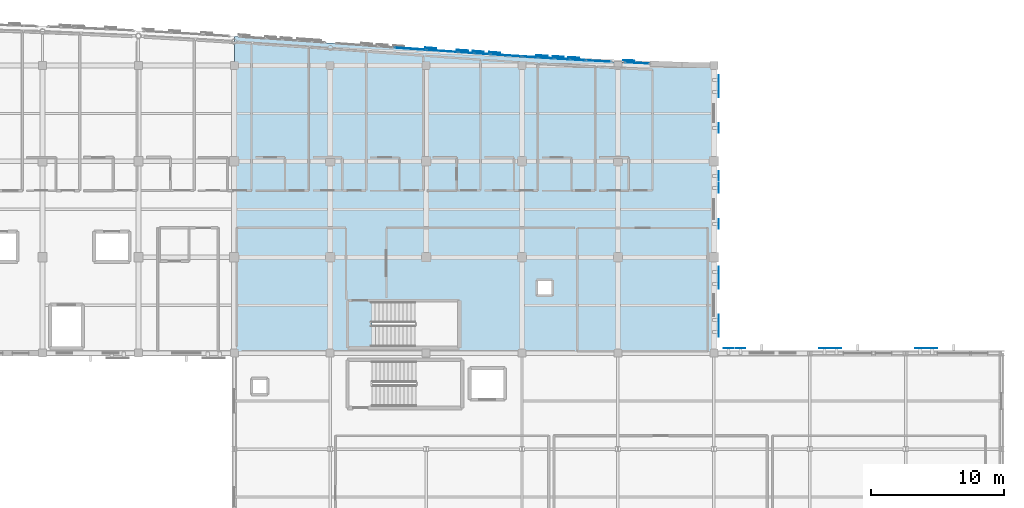
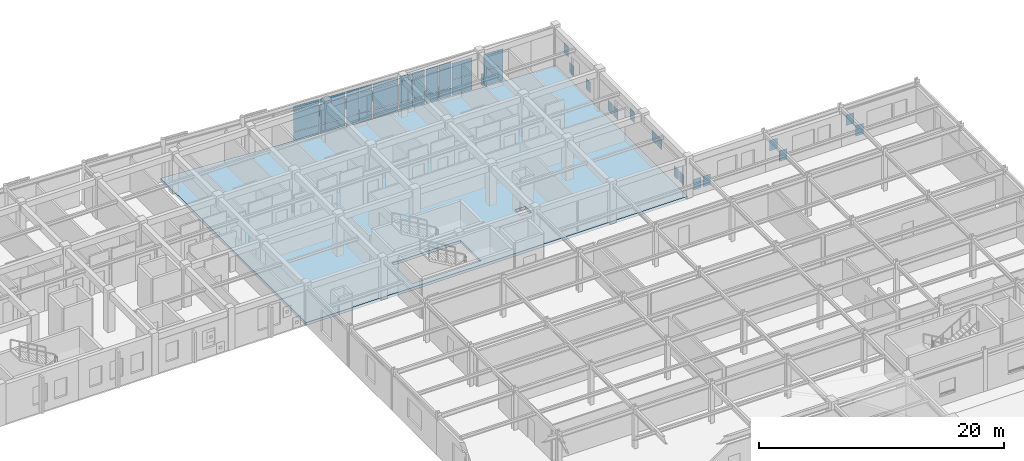
# One storey, part 77 of 113: 55 plates, 1 slab, 8 elements without a shape of their own.
"""IFC4 building model written with IfcOpenShell, lengths in metres."""

from ifc_helpers import new_model, si_unit, direction, frame, origin, origin_2d, place, context, subcontext, project, spatial, polyline, rectangle, outline, extrude, material, layer, layer_set, type_object, element, aggregate, save


model = new_model("IFC4")

# Units and contexts
model_context = context("Model", 3, precision=1e-05, world=origin(), true_north=direction((0.0, 1.0)))
body_context = subcontext(model_context, "Body", "Model", "MODEL_VIEW")
ifc_project = project(units=[si_unit("LENGTHUNIT", "METRE"), si_unit("AREAUNIT", "SQUARE_METRE"), si_unit("VOLUMEUNIT", "CUBIC_METRE"), si_unit("PLANEANGLEUNIT", "RADIAN"), si_unit("MASSUNIT", "GRAM", prefix="KILO")], contexts=[model_context])

# Site, building, storey
site_placement = place(None, origin())
site = spatial("IfcSite", under=ifc_project, at=site_placement, CompositionType="ELEMENT")
building_placement = place(site_placement, origin())
building = spatial("IfcBuilding", under=site, at=building_placement, Name="Carrowvane Square Congress Hotel", CompositionType="ELEMENT")
storey_placement = place(building_placement, frame((0.0, 0.0, 15.0)))
storey = spatial("IfcBuildingStorey", under=building, at=storey_placement, Name="L03", CompositionType="ELEMENT", Elevation=15.0)

# Curtain wall, plates
ifc_material_1 = material(Name="Anodised aluminium", Category="aluminium")
ifc_layer_1 = layer(ifc_material_1, 0.197998046875)
ifc_layer_set_1 = layer_set([ifc_layer_1], Name="Anodised aluminium")
curtain_wall_type_1 = type_object("IfcCurtainWallType", Name="CW-SYS-4", PredefinedType="NOTDEFINED", material=ifc_layer_set_1)
curtain_wall_1_placement = place(storey_placement, origin())
curtain_wall_1 = element("IfcCurtainWall", 1, at=curtain_wall_1_placement, inside=storey, type_object=curtain_wall_type_1, Name="L03 unitised curtain wall 235", PredefinedType="NOTDEFINED")
ifc_material_2 = material(Name="Double-glazed low-E glass", Category="glass")
ifc_layer_2 = layer(ifc_material_2, 0.028076171875)
ifc_layer_set_2 = layer_set([ifc_layer_2], Name="Double-glazed low-E glass")
plate_type_1 = type_object("IfcPlateType", Name="CW-PAN-1", PredefinedType="CURTAIN_PANEL", material=ifc_layer_set_2)
plate_1_placement = place(storey_placement, frame((142.39990234375, 114.486328125, 0.070068359375), z_axis=(0.0, 0.0, 1.0), x_axis=(0.997505697746, -0.070585996942, 0.0)))
plate_1 = element("IfcPlate", 2, at=plate_1_placement, type_object=plate_type_1, Name="CW-4 panel 1.1", PredefinedType="CURTAIN_PANEL", context=body_context, shape_type="SweptSolid", body=[
    extrude(rectangle(XDim=2.26611328125, YDim=0.028076171875, at=origin_2d()), origin(), (0.0, 0.0, 1.0), 0.794921875),
])
plate_2_placement = place(storey_placement, frame((142.39990234375, 114.486328125, 0.93505859375), z_axis=(0.0, 0.0, 1.0), x_axis=(0.997505697746, -0.070585996942, 0.0)))
plate_2 = element("IfcPlate", 3, at=plate_2_placement, type_object=plate_type_1, Name="CW-4 panel 1.2", PredefinedType="CURTAIN_PANEL", context=body_context, shape_type="SweptSolid", body=[
    extrude(rectangle(XDim=2.26611328125, YDim=0.028076171875, at=origin_2d()), origin(), (0.0, 0.0, 1.0), 1.99560546875),
])
plate_3_placement = place(storey_placement, frame((142.39990234375, 114.486328125, 3.00048828125), z_axis=(0.0, 0.0, 1.0), x_axis=(0.997505697746, -0.070585996942, 0.0)))
plate_3 = element("IfcPlate", 4, at=plate_3_placement, type_object=plate_type_1, Name="CW-4 panel 1.3", PredefinedType="CURTAIN_PANEL", context=body_context, shape_type="SweptSolid", body=[
    extrude(rectangle(XDim=2.26611328125, YDim=0.028076171875, at=origin_2d()), origin(), (0.0, 0.0, 1.0), 0.445068359375),
])
aggregate(curtain_wall_1, [plate_1, plate_2, plate_3])

ifc_material_3 = material(Name="Anodised aluminium", Category="aluminium")
ifc_layer_3 = layer(ifc_material_3, 0.162109375)
ifc_layer_set_3 = layer_set([ifc_layer_3], Name="Anodised aluminium")
curtain_wall_type_2 = type_object("IfcCurtainWallType", Name="CW-SYS-1", PredefinedType="NOTDEFINED", material=ifc_layer_set_3)
curtain_wall_2_placement = place(storey_placement, origin())
curtain_wall_2 = element("IfcCurtainWall", 5, at=curtain_wall_2_placement, inside=storey, type_object=curtain_wall_type_2, Name="L03 unitised curtain wall 240", PredefinedType="NOTDEFINED")
plate_4_placement = place(storey_placement, frame((154.16845703125, 113.7294921875, 0.06005859375), z_axis=(0.0, 0.0, 1.0), x_axis=(0.998566981227, -0.053516203185, 0.0)))
plate_4 = element("IfcPlate", 6, at=plate_4_placement, type_object=plate_type_1, Name="CW-1 panel 1.1", PredefinedType="CURTAIN_PANEL", context=body_context, shape_type="SweptSolid", body=[
    extrude(rectangle(XDim=1.819580078125, YDim=0.028076171875, at=origin_2d()), origin(), (0.0, 0.0, 1.0), 1.572509765625),
])
plate_5_placement = place(storey_placement, frame((154.16845703125, 113.7294921875, 1.6923828125), z_axis=(0.0, 0.0, 1.0), x_axis=(0.998566981227, -0.053516203185, 0.0)))
plate_5 = element("IfcPlate", 7, at=plate_5_placement, type_object=plate_type_1, Name="CW-1 panel 1.2", PredefinedType="CURTAIN_PANEL", context=body_context, shape_type="SweptSolid", body=[
    extrude(rectangle(XDim=1.819580078125, YDim=0.028076171875, at=origin_2d()), origin(), (0.0, 0.0, 1.0), 1.572509765625),
])
aggregate(curtain_wall_2, [plate_4, plate_5])

ifc_material_4 = material(Name="Anodised aluminium", Category="aluminium")
ifc_layer_4 = layer(ifc_material_4, 0.2099609375)
ifc_layer_set_4 = layer_set([ifc_layer_4], Name="Anodised aluminium")
curtain_wall_type_3 = type_object("IfcCurtainWallType", Name="CW-SYS-5", PredefinedType="NOTDEFINED", material=ifc_layer_set_4)
curtain_wall_3_placement = place(storey_placement, origin())
curtain_wall_3 = element("IfcCurtainWall", 8, at=curtain_wall_3_placement, inside=storey, type_object=curtain_wall_type_3, Name="L03 unitised curtain wall 236", PredefinedType="NOTDEFINED")
ifc_material_5 = material(Name="Double-glazed low-E glass", Category="glass")
ifc_layer_5 = layer(ifc_material_5, 0.031982421875)
ifc_layer_set_5 = layer_set([ifc_layer_5], Name="Double-glazed low-E glass")
plate_type_2 = type_object("IfcPlateType", Name="CW-PAN-2", PredefinedType="CURTAIN_PANEL", material=ifc_layer_set_5)
plate_6_placement = place(storey_placement, frame((144.21484375, 114.35888671875, 0.06005859375), z_axis=(0.0, 0.0, 1.0), x_axis=(0.997617619706, -0.068986120725, 0.0)))
plate_6 = element("IfcPlate", 9, at=plate_6_placement, type_object=plate_type_2, Name="CW-5 panel 1.1", PredefinedType="CURTAIN_PANEL", context=body_context, shape_type="SweptSolid", body=[
    extrude(rectangle(XDim=1.11279296875, YDim=0.031982421875, at=origin_2d()), origin(), (0.0, 0.0, 1.0), 0.81005859375),
])
plate_7_placement = place(storey_placement, frame((144.21484375, 114.35888671875, 0.93017578125), z_axis=(0.0, 0.0, 1.0), x_axis=(0.997617619706, -0.068986120725, 0.0)))
plate_7 = element("IfcPlate", 10, at=plate_7_placement, type_object=plate_type_2, Name="CW-5 panel 1.2", PredefinedType="CURTAIN_PANEL", context=body_context, shape_type="SweptSolid", body=[
    extrude(rectangle(XDim=1.11279296875, YDim=0.031982421875, at=origin_2d()), origin(), (0.0, 0.0, 1.0), 2.005615234375),
])
plate_8_placement = place(storey_placement, frame((144.21484375, 114.35888671875, 2.99560546875), z_axis=(0.0, 0.0, 1.0), x_axis=(0.997617619706, -0.068986120725, 0.0)))
plate_8 = element("IfcPlate", 11, at=plate_8_placement, type_object=plate_type_2, Name="CW-5 panel 1.3", PredefinedType="CURTAIN_PANEL", context=body_context, shape_type="SweptSolid", body=[
    extrude(rectangle(XDim=1.11279296875, YDim=0.031982421875, at=origin_2d()), origin(), (0.0, 0.0, 1.0), 0.4599609375),
])
plate_9_placement = place(storey_placement, frame((145.385009765625, 114.278076171875, 0.06005859375), z_axis=(0.0, 0.0, 1.0), x_axis=(0.997617619706, -0.068986120725, 0.0)))
plate_9 = element("IfcPlate", 12, at=plate_9_placement, type_object=plate_type_2, Name="CW-5 panel 2.1", PredefinedType="CURTAIN_PANEL", context=body_context, shape_type="SweptSolid", body=[
    extrude(rectangle(XDim=1.11279296875, YDim=0.031982421875, at=origin_2d()), origin(), (0.0, 0.0, 1.0), 0.81005859375),
])
plate_10_placement = place(storey_placement, frame((145.385009765625, 114.278076171875, 0.93017578125), z_axis=(0.0, 0.0, 1.0), x_axis=(0.997617619706, -0.068986120725, 0.0)))
plate_10 = element("IfcPlate", 13, at=plate_10_placement, type_object=plate_type_2, Name="CW-5 panel 2.2", PredefinedType="CURTAIN_PANEL", context=body_context, shape_type="SweptSolid", body=[
    extrude(rectangle(XDim=1.11279296875, YDim=0.031982421875, at=origin_2d()), origin(), (0.0, 0.0, 1.0), 2.005615234375),
])
plate_11_placement = place(storey_placement, frame((145.385009765625, 114.278076171875, 2.99560546875), z_axis=(0.0, 0.0, 1.0), x_axis=(0.997617619706, -0.068986120725, 0.0)))
plate_11 = element("IfcPlate", 14, at=plate_11_placement, type_object=plate_type_2, Name="CW-5 panel 2.3", PredefinedType="CURTAIN_PANEL", context=body_context, shape_type="SweptSolid", body=[
    extrude(rectangle(XDim=1.11279296875, YDim=0.031982421875, at=origin_2d()), origin(), (0.0, 0.0, 1.0), 0.4599609375),
])
aggregate(curtain_wall_3, [plate_6, plate_7, plate_8, plate_9, plate_10, plate_11])

ifc_material_6 = material(Name="Anodised aluminium", Category="aluminium")
ifc_layer_6 = layer(ifc_material_6, 0.174072265625)
ifc_layer_set_6 = layer_set([ifc_layer_6], Name="Anodised aluminium")
curtain_wall_type_4 = type_object("IfcCurtainWallType", Name="CW-SYS-2", PredefinedType="NOTDEFINED", material=ifc_layer_set_6)
curtain_wall_4_placement = place(storey_placement, origin())
curtain_wall_4 = element("IfcCurtainWall", 15, at=curtain_wall_4_placement, inside=storey, type_object=curtain_wall_type_4, Name="L03 unitised curtain wall 241", PredefinedType="NOTDEFINED")
plate_12_placement = place(storey_placement, frame((157.044189453125, 113.58544921875, 0.06982421875), z_axis=(0.0, 0.0, 1.0), x_axis=(0.998917263935, -0.046522035775, 0.0)))
plate_12 = element("IfcPlate", 16, at=plate_12_placement, type_object=plate_type_2, Name="CW-2 panel 1.1", PredefinedType="CURTAIN_PANEL", context=body_context, shape_type="SweptSolid", body=[
    extrude(rectangle(XDim=1.7734375, YDim=0.031982421875, at=origin_2d()), origin(), (0.0, 0.0, 1.0), 1.5576171875),
])
plate_13_placement = place(storey_placement, frame((157.044189453125, 113.58544921875, 1.697509765625), z_axis=(0.0, 0.0, 1.0), x_axis=(0.998917263935, -0.046522035775, 0.0)))
plate_13 = element("IfcPlate", 17, at=plate_13_placement, type_object=plate_type_2, Name="CW-2 panel 1.2", PredefinedType="CURTAIN_PANEL", context=body_context, shape_type="SweptSolid", body=[
    extrude(rectangle(XDim=1.7734375, YDim=0.031982421875, at=origin_2d()), origin(), (0.0, 0.0, 1.0), 1.5576171875),
])
aggregate(curtain_wall_4, [plate_12, plate_13])

ifc_material_7 = material(Name="Anodised aluminium", Category="aluminium")
ifc_layer_7 = layer(ifc_material_7, 0.221923828125)
ifc_layer_set_7 = layer_set([ifc_layer_7], Name="Anodised aluminium")
curtain_wall_type_5 = type_object("IfcCurtainWallType", Name="CW-SYS-6", PredefinedType="NOTDEFINED", material=ifc_layer_set_7)
curtain_wall_5_placement = place(storey_placement, origin())
curtain_wall_5 = element("IfcCurtainWall", 18, at=curtain_wall_5_placement, inside=storey, type_object=curtain_wall_type_5, Name="L03 unitised curtain wall 237", PredefinedType="NOTDEFINED")
ifc_material_8 = material(Name="Double-glazed low-E glass", Category="glass")
ifc_layer_8 = layer(ifc_material_8, 0.035888671875)
ifc_layer_set_8 = layer_set([ifc_layer_8], Name="Double-glazed low-E glass")
plate_type_3 = type_object("IfcPlateType", Name="CW-PAN-3", PredefinedType="CURTAIN_PANEL", material=ifc_layer_set_8)
plate_14_placement = place(storey_placement, frame((147.199951171875, 114.155517578125, 0.070068359375), z_axis=(0.0, 0.0, 1.0), x_axis=(0.997781495544, -0.06657392244, 0.0)))
plate_14 = element("IfcPlate", 19, at=plate_14_placement, type_object=plate_type_3, Name="CW-6 panel 1.1", PredefinedType="CURTAIN_PANEL", context=body_context, shape_type="SweptSolid", body=[
    extrude(rectangle(XDim=2.265380859375, YDim=0.035888671875, at=origin_2d()), origin(), (0.0, 0.0, 1.0), 0.794921875),
])
plate_15_placement = place(storey_placement, frame((147.199951171875, 114.155517578125, 0.93505859375), z_axis=(0.0, 0.0, 1.0), x_axis=(0.997781495544, -0.06657392244, 0.0)))
plate_15 = element("IfcPlate", 20, at=plate_15_placement, type_object=plate_type_3, Name="CW-6 panel 1.2", PredefinedType="CURTAIN_PANEL", context=body_context, shape_type="SweptSolid", body=[
    extrude(rectangle(XDim=2.265380859375, YDim=0.035888671875, at=origin_2d()), origin(), (0.0, 0.0, 1.0), 1.99560546875),
])
plate_16_placement = place(storey_placement, frame((147.199951171875, 114.155517578125, 3.00048828125), z_axis=(0.0, 0.0, 1.0), x_axis=(0.997781495544, -0.06657392244, 0.0)))
plate_16 = element("IfcPlate", 21, at=plate_16_placement, type_object=plate_type_3, Name="CW-6 panel 1.3", PredefinedType="CURTAIN_PANEL", context=body_context, shape_type="SweptSolid", body=[
    extrude(rectangle(XDim=2.265380859375, YDim=0.035888671875, at=origin_2d()), origin(), (0.0, 0.0, 1.0), 0.445068359375),
])
aggregate(curtain_wall_5, [plate_14, plate_15, plate_16])

ifc_material_9 = material(Name="Anodised aluminium", Category="aluminium")
ifc_layer_9 = layer(ifc_material_9, 0.23388671875)
ifc_layer_set_9 = layer_set([ifc_layer_9], Name="Anodised aluminium")
curtain_wall_type_6 = type_object("IfcCurtainWallType", Name="CW-SYS-7", PredefinedType="NOTDEFINED", material=ifc_layer_set_9)
curtain_wall_6_placement = place(storey_placement, origin())
curtain_wall_6 = element("IfcCurtainWall", 22, at=curtain_wall_6_placement, inside=storey, type_object=curtain_wall_type_6, Name="L03 unitised curtain wall 238", PredefinedType="NOTDEFINED")
ifc_material_10 = material(Name="Double-glazed low-E glass", Category="glass")
ifc_layer_10 = layer(ifc_material_10, 0.0419921875)
ifc_layer_set_10 = layer_set([ifc_layer_10], Name="Double-glazed low-E glass")
plate_type_4 = type_object("IfcPlateType", Name="CW-PAN-4", PredefinedType="CURTAIN_PANEL", material=ifc_layer_set_10)
plate_17_placement = place(storey_placement, frame((149.014892578125, 114.036376953125, 0.06005859375), z_axis=(0.0, 0.0, 1.0), x_axis=(0.997996225303, -0.063273487972, 0.0)))
plate_17 = element("IfcPlate", 23, at=plate_17_placement, type_object=plate_type_4, Name="CW-7 panel 1.1", PredefinedType="CURTAIN_PANEL", context=body_context, shape_type="SweptSolid", body=[
    extrude(rectangle(XDim=1.1123046875, YDim=0.0419921875, at=origin_2d()), origin(), (0.0, 0.0, 1.0), 0.81005859375),
])
plate_18_placement = place(storey_placement, frame((149.014892578125, 114.036376953125, 0.93017578125), z_axis=(0.0, 0.0, 1.0), x_axis=(0.997996225303, -0.063273487972, 0.0)))
plate_18 = element("IfcPlate", 24, at=plate_18_placement, type_object=plate_type_4, Name="CW-7 panel 1.2", PredefinedType="CURTAIN_PANEL", context=body_context, shape_type="SweptSolid", body=[
    extrude(rectangle(XDim=1.1123046875, YDim=0.0419921875, at=origin_2d()), origin(), (0.0, 0.0, 1.0), 2.005615234375),
])
plate_19_placement = place(storey_placement, frame((149.014892578125, 114.036376953125, 2.99560546875), z_axis=(0.0, 0.0, 1.0), x_axis=(0.997996225303, -0.063273487972, 0.0)))
plate_19 = element("IfcPlate", 25, at=plate_19_placement, type_object=plate_type_4, Name="CW-7 panel 1.3", PredefinedType="CURTAIN_PANEL", context=body_context, shape_type="SweptSolid", body=[
    extrude(rectangle(XDim=1.1123046875, YDim=0.0419921875, at=origin_2d()), origin(), (0.0, 0.0, 1.0), 0.4599609375),
])
plate_20_placement = place(storey_placement, frame((150.18505859375, 113.962158203125, 0.06005859375), z_axis=(0.0, 0.0, 1.0), x_axis=(0.997996225303, -0.063273487972, 0.0)))
plate_20 = element("IfcPlate", 26, at=plate_20_placement, type_object=plate_type_4, Name="CW-7 panel 2.1", PredefinedType="CURTAIN_PANEL", context=body_context, shape_type="SweptSolid", body=[
    extrude(rectangle(XDim=1.1123046875, YDim=0.0419921875, at=origin_2d()), origin(), (0.0, 0.0, 1.0), 0.81005859375),
])
plate_21_placement = place(storey_placement, frame((150.18505859375, 113.962158203125, 0.93017578125), z_axis=(0.0, 0.0, 1.0), x_axis=(0.997996225303, -0.063273487972, 0.0)))
plate_21 = element("IfcPlate", 27, at=plate_21_placement, type_object=plate_type_4, Name="CW-7 panel 2.2", PredefinedType="CURTAIN_PANEL", context=body_context, shape_type="SweptSolid", body=[
    extrude(rectangle(XDim=1.1123046875, YDim=0.0419921875, at=origin_2d()), origin(), (0.0, 0.0, 1.0), 2.005615234375),
])
plate_22_placement = place(storey_placement, frame((150.18505859375, 113.962158203125, 2.99560546875), z_axis=(0.0, 0.0, 1.0), x_axis=(0.997996225303, -0.063273487972, 0.0)))
plate_22 = element("IfcPlate", 28, at=plate_22_placement, type_object=plate_type_4, Name="CW-7 panel 2.3", PredefinedType="CURTAIN_PANEL", context=body_context, shape_type="SweptSolid", body=[
    extrude(rectangle(XDim=1.1123046875, YDim=0.0419921875, at=origin_2d()), origin(), (0.0, 0.0, 1.0), 0.4599609375),
])
aggregate(curtain_wall_6, [plate_17, plate_18, plate_19, plate_20, plate_21, plate_22])

ifc_material_11 = material(Name="Anodised aluminium", Category="aluminium")
ifc_layer_11 = layer(ifc_material_11, 0.18603515625)
ifc_layer_set_11 = layer_set([ifc_layer_11], Name="Anodised aluminium")
curtain_wall_type_7 = type_object("IfcCurtainWallType", Name="CW-SYS-3", PredefinedType="NOTDEFINED", material=ifc_layer_set_11)
curtain_wall_7_placement = place(storey_placement, origin())
curtain_wall_7 = element("IfcCurtainWall", 29, at=curtain_wall_7_placement, inside=storey, type_object=curtain_wall_type_7, Name="L03 unitised curtain wall 234", PredefinedType="NOTDEFINED")
ifc_material_12 = material(Name="Double-glazed low-E glass", Category="glass")
ifc_layer_12 = layer(ifc_material_12, 0.048095703125)
ifc_layer_set_12 = layer_set([ifc_layer_12], Name="Double-glazed low-E glass")
plate_type_5 = type_object("IfcPlateType", Name="CW-PAN-5", PredefinedType="CURTAIN_PANEL", material=ifc_layer_set_12)
plate_23_placement = place(storey_placement, frame((140.0, 114.6572265625, 0.06005859375), z_axis=(0.0, 0.0, 1.0), x_axis=(0.997446152826, -0.071422490945, 0.0)))
plate_23 = element("IfcPlate", 30, at=plate_23_placement, type_object=plate_type_5, Name="CW-3 panel 1.1", PredefinedType="CURTAIN_PANEL", context=body_context, shape_type="SweptSolid", body=[
    extrude(rectangle(XDim=2.2861328125, YDim=0.048095703125, at=origin_2d()), origin(), (0.0, 0.0, 1.0), 0.81005859375),
])
plate_24_placement = place(storey_placement, frame((140.0, 114.6572265625, 0.93017578125), z_axis=(0.0, 0.0, 1.0), x_axis=(0.997446152826, -0.071422490945, 0.0)))
plate_24 = element("IfcPlate", 31, at=plate_24_placement, type_object=plate_type_5, Name="CW-3 panel 1.2", PredefinedType="CURTAIN_PANEL", context=body_context, shape_type="SweptSolid", body=[
    extrude(rectangle(XDim=2.2861328125, YDim=0.048095703125, at=origin_2d()), origin(), (0.0, 0.0, 1.0), 2.005615234375),
])
plate_25_placement = place(storey_placement, frame((140.0, 114.6572265625, 2.99560546875), z_axis=(0.0, 0.0, 1.0), x_axis=(0.997446152826, -0.071422490945, 0.0)))
plate_25 = element("IfcPlate", 32, at=plate_25_placement, type_object=plate_type_5, Name="CW-3 panel 1.3", PredefinedType="CURTAIN_PANEL", context=body_context, shape_type="SweptSolid", body=[
    extrude(rectangle(XDim=2.2861328125, YDim=0.048095703125, at=origin_2d()), origin(), (0.0, 0.0, 1.0), 0.4599609375),
])
aggregate(curtain_wall_7, [plate_23, plate_24, plate_25])

ifc_material_13 = material(Name="Anodised aluminium", Category="aluminium")
ifc_layer_13 = layer(ifc_material_13, 0.24609375)
ifc_layer_set_13 = layer_set([ifc_layer_13], Name="Anodised aluminium")
curtain_wall_type_8 = type_object("IfcCurtainWallType", Name="CW-SYS-8", PredefinedType="NOTDEFINED", material=ifc_layer_set_13)
curtain_wall_8_placement = place(storey_placement, origin())
curtain_wall_8 = element("IfcCurtainWall", 33, at=curtain_wall_8_placement, inside=storey, type_object=curtain_wall_type_8, Name="L03 unitised curtain wall 239", PredefinedType="NOTDEFINED")
plate_26_placement = place(storey_placement, frame((151.41748046875, 113.88671875, 0.070068359375), z_axis=(0.0, 0.0, 1.0), x_axis=(0.99825866099, -0.058988522254, 0.0)))
plate_26 = element("IfcPlate", 34, at=plate_26_placement, type_object=plate_type_5, Name="CW-8 panel 1.1", PredefinedType="CURTAIN_PANEL", context=body_context, shape_type="SweptSolid", body=[
    extrude(rectangle(XDim=1.09716796875, YDim=0.048095703125, at=origin_2d()), origin(), (0.0, 0.0, 1.0), 0.794921875),
])
plate_27_placement = place(storey_placement, frame((151.41748046875, 113.88671875, 0.93505859375), z_axis=(0.0, 0.0, 1.0), x_axis=(0.99825866099, -0.058988522254, 0.0)))
plate_27 = element("IfcPlate", 35, at=plate_27_placement, type_object=plate_type_5, Name="CW-8 panel 1.2", PredefinedType="CURTAIN_PANEL", context=body_context, shape_type="SweptSolid", body=[
    extrude(rectangle(XDim=1.09716796875, YDim=0.048095703125, at=origin_2d()), origin(), (0.0, 0.0, 1.0), 1.99560546875),
])
plate_28_placement = place(storey_placement, frame((151.41748046875, 113.88671875, 3.00048828125), z_axis=(0.0, 0.0, 1.0), x_axis=(0.99825866099, -0.058988522254, 0.0)))
plate_28 = element("IfcPlate", 36, at=plate_28_placement, type_object=plate_type_5, Name="CW-8 panel 1.3", PredefinedType="CURTAIN_PANEL", context=body_context, shape_type="SweptSolid", body=[
    extrude(rectangle(XDim=1.09716796875, YDim=0.048095703125, at=origin_2d()), origin(), (0.0, 0.0, 1.0), 0.445068359375),
])
plate_29_placement = place(storey_placement, frame((152.58251953125, 113.81787109375, 0.070068359375), z_axis=(0.0, 0.0, 1.0), x_axis=(0.99825866099, -0.058988522254, 0.0)))
plate_29 = element("IfcPlate", 37, at=plate_29_placement, type_object=plate_type_5, Name="CW-8 panel 2.1", PredefinedType="CURTAIN_PANEL", context=body_context, shape_type="SweptSolid", body=[
    extrude(rectangle(XDim=1.09716796875, YDim=0.048095703125, at=origin_2d()), origin(), (0.0, 0.0, 1.0), 0.794921875),
])
plate_30_placement = place(storey_placement, frame((152.58251953125, 113.81787109375, 0.93505859375), z_axis=(0.0, 0.0, 1.0), x_axis=(0.99825866099, -0.058988522254, 0.0)))
plate_30 = element("IfcPlate", 38, at=plate_30_placement, type_object=plate_type_5, Name="CW-8 panel 2.2", PredefinedType="CURTAIN_PANEL", context=body_context, shape_type="SweptSolid", body=[
    extrude(rectangle(XDim=1.09716796875, YDim=0.048095703125, at=origin_2d()), origin(), (0.0, 0.0, 1.0), 1.99560546875),
])
plate_31_placement = place(storey_placement, frame((152.58251953125, 113.81787109375, 3.00048828125), z_axis=(0.0, 0.0, 1.0), x_axis=(0.99825866099, -0.058988522254, 0.0)))
plate_31 = element("IfcPlate", 39, at=plate_31_placement, type_object=plate_type_5, Name="CW-8 panel 2.3", PredefinedType="CURTAIN_PANEL", context=body_context, shape_type="SweptSolid", body=[
    extrude(rectangle(XDim=1.09716796875, YDim=0.048095703125, at=origin_2d()), origin(), (0.0, 0.0, 1.0), 0.445068359375),
])
aggregate(curtain_wall_8, [plate_26, plate_27, plate_28, plate_29, plate_30, plate_31])

# Plates
ifc_material_14 = material(Name="Champagne-gold anodised aluminium", Category="aluminium")
ifc_layer_14 = layer(ifc_material_14, 0.011962890625)
ifc_layer_set_14 = layer_set([ifc_layer_14], Name="Champagne-gold anodised aluminium")
plate_type_6 = type_object("IfcPlateType", Name="PLT-PIX-GOLD12", PredefinedType="SHEET", material=ifc_layer_set_14)
for number, where, z_axis, x_axis, name in (
    (40, (141.53564453125, 114.7138671875, 1.58984375), (0.0, 0.0, 1.0), (0.997505756275, -0.070585169822, 0.0), "Champagne-gold pixel screen plate 256"),
    (41, (146.335205078125, 114.37939453125, 1.58984375), (0.0, 0.0, 1.0), (0.997781458784, -0.066574473385, 0.0), "Champagne-gold pixel screen plate 259"),
    (42, (151.134033203125, 114.06982421875, 0.119873046875), (0.0, 0.0, 1.0), (0.998258866948, -0.05898503675, 0.0), "Champagne-gold pixel screen plate 261"),
    (43, (152.299072265625, 114.0009765625, 0.119873046875), (0.0, 0.0, 1.0), (0.998258866948, -0.05898503675, 0.0), "Champagne-gold pixel screen plate 262"),
    (44, (156.420654296875, 113.78076171875, 0.119873046875), (0.0, 0.0, 1.0), (0.99891730083, -0.046521243556, 0.0), "Champagne-gold pixel screen plate 263"),
):
    element("IfcPlate", number, at=place(storey_placement, frame(where, z_axis=z_axis, x_axis=x_axis)), inside=storey, type_object=plate_type_6, Name=name, PredefinedType="SHEET", context=body_context, shape_type="SweptSolid", body=[
        extrude(rectangle(XDim=0.827880859375, YDim=0.011962890625, at=origin_2d()), origin(), (0.0, 0.0, 1.0), 1.1201171875),
    ])
for number, where, z_axis, x_axis, name in (
    (45, (163.166015625, 105.10009765625, 0.15478515625), (0.0, 0.0, 1.0), (0.0, -1.0, 0.0), "Champagne-gold pixel screen plate S-267"),
    (46, (163.166015625, 104.199951171875, 0.15478515625), (0.0, 0.0, 1.0), (0.0, -1.0, 0.0), "Champagne-gold pixel screen plate S-268"),
    (47, (163.166015625, 101.5, 1.52490234375), (0.0, 0.0, 1.0), (0.0, -1.0, 0.0), "Champagne-gold pixel screen plate S-269"),
    (48, (163.89990234375, 92.166015625, 0.15478515625), (0.0, 0.0, 1.0), (1.0, 0.0, 0.0), "Champagne-gold pixel screen plate S-274"),
    (49, (164.800048828125, 92.166015625, 0.15478515625), (0.0, 0.0, 1.0), (1.0, 0.0, 0.0), "Champagne-gold pixel screen plate S-275"),
    (50, (178.300048828125, 92.166015625, 1.52490234375), (0.0, 0.0, 1.0), (1.0, 0.0, 0.0), "Champagne-gold pixel screen plate S-278"),
    (51, (179.199951171875, 92.166015625, 0.15478515625), (0.0, 0.0, 1.0), (1.0, 0.0, 0.0), "Champagne-gold pixel screen plate S-279"),
):
    element("IfcPlate", number, at=place(storey_placement, frame(where, z_axis=z_axis, x_axis=x_axis)), inside=storey, type_object=plate_type_6, Name=name, PredefinedType="SHEET", context=body_context, shape_type="SweptSolid", body=[
        extrude(rectangle(XDim=0.738037109375, YDim=0.011962890625, at=origin_2d()), origin(), (0.0, 0.0, 1.0), 1.050048828125),
    ])
ifc_material_15 = material(Name="Champagne-gold anodised aluminium", Category="aluminium")
ifc_layer_15 = layer(ifc_material_15, 0.008056640625)
ifc_layer_set_15 = layer_set([ifc_layer_15], Name="Champagne-gold anodised aluminium")
plate_type_7 = type_object("IfcPlateType", Name="PLT-PIX-GOLD8", PredefinedType="SHEET", material=ifc_layer_set_15)
for number, where, z_axis, x_axis, name in (
    (52, (143.930419921875, 114.54296875, 1.58984375), (0.0, 0.0, 1.0), (0.99761759323, -0.068986503591, 0.0), "Champagne-gold pixel screen plate 257"),
    (53, (145.100341796875, 114.462158203125, 0.119873046875), (0.0, 0.0, 1.0), (0.99761759323, -0.068986503591, 0.0), "Champagne-gold pixel screen plate 258"),
    (54, (149.899658203125, 114.14453125, 1.58984375), (0.0, 0.0, 1.0), (0.997996022269, -0.063276690295, 0.0), "Champagne-gold pixel screen plate 260"),
):
    element("IfcPlate", number, at=place(storey_placement, frame(where, z_axis=z_axis, x_axis=x_axis)), inside=storey, type_object=plate_type_7, Name=name, PredefinedType="SHEET", context=body_context, shape_type="SweptSolid", body=[
        extrude(rectangle(XDim=0.827880859375, YDim=0.008056640625, at=origin_2d()), origin(), (0.0, 0.0, 1.0), 1.1201171875),
    ])
for number, where, z_axis, x_axis, name in (
    (55, (163.1640625, 112.300048828125, 1.52490234375), (0.0, 0.0, 1.0), (0.0, -1.0, 0.0), "Champagne-gold pixel screen plate S-264"),
    (56, (163.1640625, 111.39990234375, 0.15478515625), (0.0, 0.0, 1.0), (0.0, -1.0, 0.0), "Champagne-gold pixel screen plate S-265"),
    (57, (163.1640625, 108.699951171875, 0.15478515625), (0.0, 0.0, 1.0), (0.0, -1.0, 0.0), "Champagne-gold pixel screen plate S-266"),
    (58, (163.1640625, 97.89990234375, 1.52490234375), (0.0, 0.0, 1.0), (0.0, -1.0, 0.0), "Champagne-gold pixel screen plate S-270"),
    (59, (163.1640625, 97.0, 1.52490234375), (0.0, 0.0, 1.0), (0.0, -1.0, 0.0), "Champagne-gold pixel screen plate S-271"),
    (60, (163.1640625, 94.300048828125, 0.15478515625), (0.0, 0.0, 1.0), (0.0, -1.0, 0.0), "Champagne-gold pixel screen plate S-272"),
    (61, (163.1640625, 93.39990234375, 0.15478515625), (0.0, 0.0, 1.0), (0.0, -1.0, 0.0), "Champagne-gold pixel screen plate S-273"),
    (62, (171.10009765625, 92.1640625, 1.52490234375), (0.0, 0.0, 1.0), (1.0, 0.0, 0.0), "Champagne-gold pixel screen plate S-276"),
    (63, (172.0, 92.1640625, 0.15478515625), (0.0, 0.0, 1.0), (1.0, 0.0, 0.0), "Champagne-gold pixel screen plate S-277"),
):
    element("IfcPlate", number, at=place(storey_placement, frame(where, z_axis=z_axis, x_axis=x_axis)), inside=storey, type_object=plate_type_7, Name=name, PredefinedType="SHEET", context=body_context, shape_type="SweptSolid", body=[
        extrude(rectangle(XDim=0.738037109375, YDim=0.008056640625, at=origin_2d()), origin(), (0.0, 0.0, 1.0), 1.050048828125),
    ])

# Slab
ifc_material_16 = material(Name="Concrete C35/45", Category="concrete")
ifc_layer_16 = layer(ifc_material_16, 0.280029296875)
ifc_layer_set_16 = layer_set([ifc_layer_16], Name="Concrete C35/45")
slab_type = type_object("IfcSlabType", Name="SLB-FLR-280", PredefinedType="FLOOR", material=ifc_layer_set_16)
slab_placement = place(storey_placement, frame((0.0, 0.0, -0.280029296875)))
element("IfcSlab", 64, at=slab_placement, inside=storey, type_object=slab_type, Name="L03 Hotel Wing slab panel 3", PredefinedType="FLOOR", context=body_context, shape_type="SweptSolid", body=[
    extrude(outline(polyline([(126.800048828125, 91.800048828125), (162.800048828125, 91.800048828125), (162.800048828125, 113.39990234375), (160.39990234375, 113.45166015625), (158.0, 113.541015625), (155.60009765625, 113.65283203125), (153.199951171875, 113.78125), (150.800048828125, 113.923095703125), (148.39990234375, 114.075439453125), (146.0, 114.235595703125), (143.60009765625, 114.4013671875), (141.199951171875, 114.5712890625), (138.800048828125, 114.7431640625), (136.39990234375, 114.915283203125), (134.0, 115.0859375), (131.60009765625, 115.253662109375), (129.199951171875, 115.4169921875), (126.800048828125, 115.57421875), (126.800048828125, 91.800048828125)]), holes=[polyline([(137.1201171875, 92.300048828125), (143.60009765625, 92.300048828125), (143.60009765625, 95.659912109375), (137.1201171875, 95.659912109375), (137.1201171875, 92.300048828125)]), polyline([(149.60009765625, 96.199951171875), (150.60009765625, 96.199951171875), (150.60009765625, 97.199951171875), (149.60009765625, 97.199951171875), (149.60009765625, 96.199951171875)])]), origin(), (0.0, 0.0, 1.0), 0.280029296875),
])

save(model, "model.ifc")
